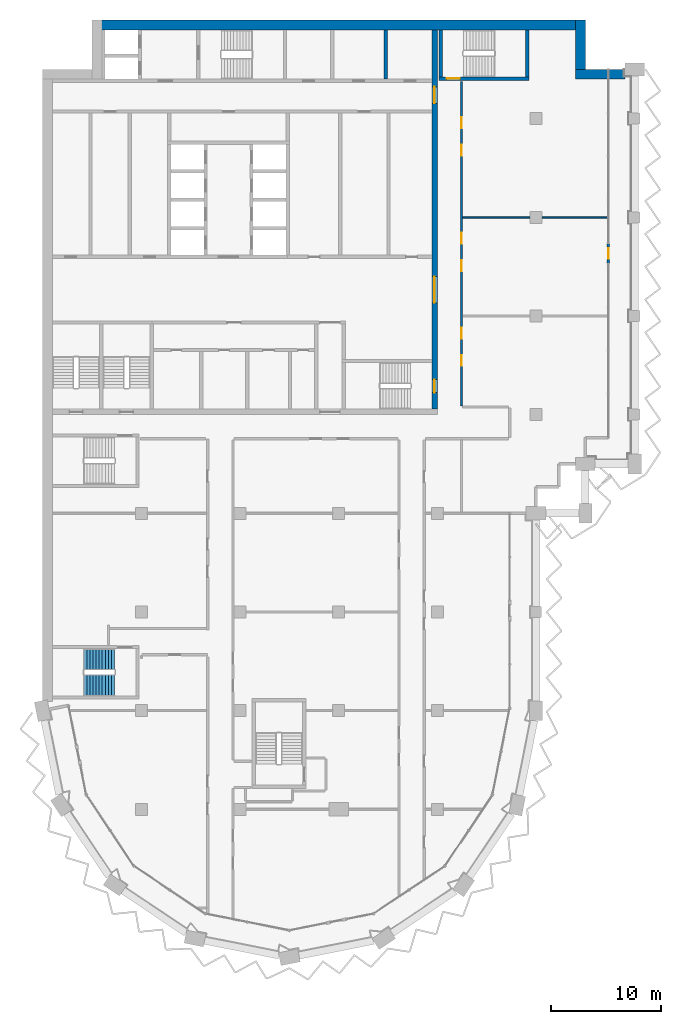
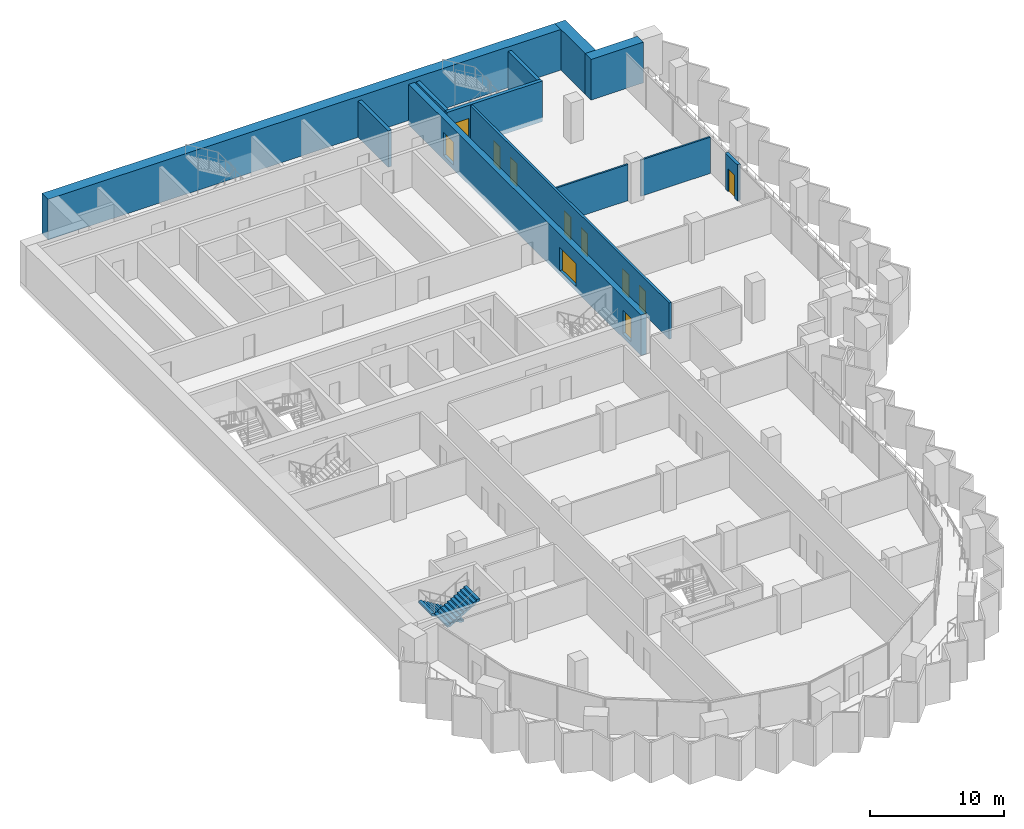
# One storey, part 11 of 17: 12 walls, 11 doors, 2 stair flights, 11 openings, 1 element without a shape of its own.
"""IFC4 building model written with IfcOpenShell, lengths in metres."""

from ifc_helpers import new_model, si_unit, direction, frame, frame_2d, origin, place, context, subcontext, project, spatial, polyline, rectangle, outline, extrude, material, layer, layer_set, type_object, element, fill, aggregate, save


model = new_model("IFC4")

# Units and contexts
model_context = context("Model", 3, precision=1e-05, world=origin(), true_north=direction((0.0, 1.0)))
body_context = subcontext(model_context, "Body", "Model", "MODEL_VIEW")
ifc_project = project(units=[si_unit("LENGTHUNIT", "METRE"), si_unit("AREAUNIT", "SQUARE_METRE"), si_unit("VOLUMEUNIT", "CUBIC_METRE"), si_unit("PLANEANGLEUNIT", "RADIAN"), si_unit("MASSUNIT", "GRAM", prefix="KILO")], contexts=[model_context])

# Site, building, storey
site_placement = place(None, origin())
site = spatial("IfcSite", under=ifc_project, at=site_placement, CompositionType="ELEMENT")
building_placement = place(site_placement, origin())
building = spatial("IfcBuilding", under=site, at=building_placement, Name="Hunhe Ridgeline Campus", CompositionType="ELEMENT")
storey_placement = place(building_placement, frame((0.0, 0.0, 190.199951171875)))
storey = spatial("IfcBuildingStorey", under=building, at=storey_placement, Name="L48", CompositionType="ELEMENT", Elevation=190.199951171875)

# Wall
ifc_material_1 = material(Name="Masonry concrete blockwork", Category="masonry")
ifc_layer_1 = layer(ifc_material_1, 0.300048828125)
ifc_layer_set_1 = layer_set([ifc_layer_1], Name="Core room partition 300 concrete block")
wall_type_1 = type_object("IfcWallType", Name="Core room partition 300 concrete block", PredefinedType="PARTITIONING", material=ifc_layer_set_1)
wall_1_placement = place(storey_placement, frame((31.300048828125, 93.60009765625, 0.0), z_axis=(0.0, 0.0, 1.0), x_axis=(0.0, 1.0, 0.0)))
element("IfcWall", 1, at=wall_1_placement, inside=storey, type_object=wall_type_1, Name="L48 core partition 51", PredefinedType="PARTITIONING", context=body_context, shape_type="SweptSolid", body=[
    extrude(rectangle(XDim=4.5, YDim=0.300048828125, at=frame_2d((2.25, 0.0))), origin(), (0.0, 0.0, 1.0), 3.300048828125),
])

# Wall, openings, doors
ifc_material_2 = material(Name="Concrete C60", Category="concrete")
ifc_layer_2 = layer(ifc_material_2, 0.5)
ifc_layer_set_2 = layer_set([ifc_layer_2], Name="Core wall 500 reinforced concrete C60")
wall_type_2 = type_object("IfcWallType", Name="Core wall 500 reinforced concrete C60", PredefinedType="SOLIDWALL", material=ifc_layer_set_2)
wall_2_placement = place(storey_placement, frame((35.75, 63.5, -0.39990234375), z_axis=(0.0, 0.0, 1.0), x_axis=(0.0, 1.0, 0.0)))
wall_2 = element("IfcWall", 2, at=wall_2_placement, inside=storey, type_object=wall_type_2, Name="L48 core wall 53", PredefinedType="SOLIDWALL", context=body_context, shape_type="SweptSolid", body=[
    extrude(rectangle(XDim=34.60009765625, YDim=0.5, at=frame_2d((17.300048828125, 0.0))), origin(), (0.0, 0.0, 1.0), 3.699951171875),
])
opening_1_placement = place(wall_2_placement, frame((9.699951171875, 0.0, 0.39990234375)))
opening_1 = element("IfcOpeningElement", 3, at=opening_1_placement, cuts=wall_2, Name="Opening CD4", PredefinedType="OPENING", context=body_context, shape_type="SweptSolid", body=[
    extrude(rectangle(XDim=2.39990234375, YDim=2.10009765625, at=frame_2d((1.199951171875, 1.050048828125))), frame((0.0, 0.25, 0.0), z_axis=(0.0, -1.0, 0.0), x_axis=(1.0, 0.0, 0.0)), (0.0, 0.0, 1.0), 0.5),
])
opening_2_placement = place(wall_2_placement, frame((27.89990234375, 0.0, 0.39990234375)))
opening_2 = element("IfcOpeningElement", 4, at=opening_2_placement, cuts=wall_2, Name="Opening CD5", PredefinedType="OPENING", context=body_context, shape_type="SweptSolid", body=[
    extrude(rectangle(XDim=1.5, YDim=2.10009765625, at=frame_2d((0.75, 1.050048828125))), frame((0.0, 0.25, 0.0), z_axis=(0.0, -1.0, 0.0), x_axis=(1.0, 0.0, 0.0)), (0.0, 0.0, 1.0), 0.5),
])
opening_3_placement = place(wall_2_placement, frame((1.5, 0.0, 0.39990234375)))
opening_3 = element("IfcOpeningElement", 5, at=opening_3_placement, cuts=wall_2, Name="Opening CD15", PredefinedType="OPENING", context=body_context, shape_type="SweptSolid", body=[
    extrude(rectangle(XDim=1.199951171875, YDim=2.10009765625, at=frame_2d((0.60009765625, 1.050048828125))), frame((0.0, 0.25, 0.0), z_axis=(0.0, -1.0, 0.0), x_axis=(1.0, 0.0, 0.0)), (0.0, 0.0, 1.0), 0.5),
])
ifc_material_3 = material(Name="Anodised aluminium and glass", Category="aluminium")
door_type_1 = type_object("IfcDoorType", Name="Glazed double door 2400x2100", OperationType="DOUBLE_DOOR_SINGLE_SWING", PredefinedType="DOOR", material=ifc_material_3)
door_1_placement = place(opening_1_placement, frame((2.39990234375, 0.0, 0.0), z_axis=(0.0, 0.0, 1.0), x_axis=(-1.0, 0.0, 0.0)))
door_1 = element("IfcDoor", 6, at=door_1_placement, inside=storey, type_object=door_type_1, Name="L48 door HALL-FLOOR", OperationType="DOUBLE_DOOR_SINGLE_SWING", OverallHeight=2.10009765625, OverallWidth=2.39990234375, PredefinedType="DOOR", context=body_context, shape_type="SweptSolid", body=[
    extrude(rectangle(XDim=2.39990234375, YDim=2.10009765625, at=frame_2d((1.199951171875, 1.050048828125))), frame((0.0, 0.02490234375, 0.0), z_axis=(0.0, -1.0, 0.0), x_axis=(1.0, 0.0, 0.0)), (0.0, 0.0, 1.0), 0.050048828125),
])
fill(opening_1, door_1)
ifc_material_4 = material(Name="Hollow metal fire door leaf")
door_type_2 = type_object("IfcDoorType", Name="Stair door 1200x2100 FD60", OperationType="SINGLE_SWING_LEFT", PredefinedType="DOOR", material=ifc_material_4)
door_2_placement = place(opening_3_placement, frame((1.199951171875, 0.0, 0.0), z_axis=(0.0, 0.0, 1.0), x_axis=(-1.0, 0.0, 0.0)))
door_2 = element("IfcDoor", 7, at=door_2_placement, inside=storey, type_object=door_type_2, Name="L48 door S2-FLOOR", OperationType="SINGLE_SWING_LEFT", OverallHeight=2.10009765625, OverallWidth=1.199951171875, PredefinedType="DOOR", context=body_context, shape_type="SweptSolid", body=[
    extrude(rectangle(XDim=1.199951171875, YDim=2.10009765625, at=frame_2d((0.60009765625, 1.050048828125))), frame((0.0, 0.02490234375, 0.0), z_axis=(0.0, -1.0, 0.0), x_axis=(1.0, 0.0, 0.0)), (0.0, 0.0, 1.0), 0.050048828125),
])
fill(opening_3, door_2)
ifc_material_5 = material(Name="Solid core timber door leaf", Category="wood")
door_type_3 = type_object("IfcDoorType", Name="Timber door 1500x2100", OperationType="SINGLE_SWING_LEFT", PredefinedType="DOOR", material=ifc_material_5)
door_3_placement = place(opening_2_placement, frame((1.5, 0.0, 0.0), z_axis=(0.0, 0.0, 1.0), x_axis=(-1.0, 0.0, 0.0)))
door_3 = element("IfcDoor", 8, at=door_3_placement, inside=storey, type_object=door_type_3, Name="L48 door C1-FLOOR", OperationType="SINGLE_SWING_LEFT", OverallHeight=2.10009765625, OverallWidth=1.5, PredefinedType="DOOR", context=body_context, shape_type="SweptSolid", body=[
    extrude(rectangle(XDim=1.5, YDim=2.10009765625, at=frame_2d((0.75, 1.050048828125))), frame((0.0, 0.02490234375, 0.0), z_axis=(0.0, -1.0, 0.0), x_axis=(1.0, 0.0, 0.0)), (0.0, 0.0, 1.0), 0.050048828125),
])
fill(opening_2, door_3)

ifc_material_6 = material(Name="Gypsum board partition")
ifc_layer_3 = layer(ifc_material_6, 0.199951171875)
ifc_layer_set_3 = layer_set([ifc_layer_3], Name="Corridor partition 200 gypsum board on steel studs")
wall_type_3 = type_object("IfcWallType", Name="Corridor partition 200 gypsum board on steel studs", PredefinedType="PARTITIONING", material=ifc_layer_set_3)
wall_3_placement = place(storey_placement, frame((38.199951171875, 93.39599609375, 0.0), z_axis=(0.0, 0.0, 1.0), x_axis=(0.0, -1.0, 0.0)))
wall_3 = element("IfcWall", 9, at=wall_3_placement, inside=storey, type_object=wall_type_3, Name="F-L48-wall-047", PredefinedType="PARTITIONING", context=body_context, shape_type="SweptSolid", body=[
    extrude(rectangle(XDim=29.595947265625, YDim=0.199951171875, at=frame_2d((14.7978515625, 0.0))), origin(), (0.0, 0.0, 1.0), 3.300048828125),
])
opening_4_placement = place(wall_3_placement, frame((24.95751953125, 0.0, 0.0)))
opening_4 = element("IfcOpeningElement", 10, at=opening_4_placement, cuts=wall_3, Name="Opening RD1-022", PredefinedType="OPENING", context=body_context, shape_type="SweptSolid", body=[
    extrude(rectangle(XDim=1.0, YDim=2.10009765625, at=frame_2d((0.5, 1.050048828125))), frame((0.0, 0.10009765625, 0.0), z_axis=(0.0, -1.0, 0.0), x_axis=(1.0, 0.0, 0.0)), (0.0, 0.0, 1.0), 0.199951171875),
])
opening_5_placement = place(wall_3_placement, frame((22.45751953125, 0.0, 0.0)))
opening_5 = element("IfcOpeningElement", 11, at=opening_5_placement, cuts=wall_3, Name="Opening RD1-023", PredefinedType="OPENING", context=body_context, shape_type="SweptSolid", body=[
    extrude(rectangle(XDim=1.0, YDim=2.10009765625, at=frame_2d((0.5, 1.050048828125))), frame((0.0, 0.10009765625, 0.0), z_axis=(0.0, -1.0, 0.0), x_axis=(1.0, 0.0, 0.0)), (0.0, 0.0, 1.0), 0.199951171875),
])
opening_6_placement = place(wall_3_placement, frame((16.304443359375, 0.0, 0.0)))
opening_6 = element("IfcOpeningElement", 12, at=opening_6_placement, cuts=wall_3, Name="Opening RD1-024", PredefinedType="OPENING", context=body_context, shape_type="SweptSolid", body=[
    extrude(rectangle(XDim=1.0, YDim=2.10009765625, at=frame_2d((0.5, 1.050048828125))), frame((0.0, 0.10009765625, 0.0), z_axis=(0.0, -1.0, 0.0), x_axis=(1.0, 0.0, 0.0)), (0.0, 0.0, 1.0), 0.199951171875),
])
opening_7_placement = place(wall_3_placement, frame((13.804443359375, 0.0, 0.0)))
opening_7 = element("IfcOpeningElement", 13, at=opening_7_placement, cuts=wall_3, Name="Opening RD1-025", PredefinedType="OPENING", context=body_context, shape_type="SweptSolid", body=[
    extrude(rectangle(XDim=1.0, YDim=2.10009765625, at=frame_2d((0.5, 1.050048828125))), frame((0.0, 0.10009765625, 0.0), z_axis=(0.0, -1.0, 0.0), x_axis=(1.0, 0.0, 0.0)), (0.0, 0.0, 1.0), 0.199951171875),
])
opening_8_placement = place(wall_3_placement, frame((5.770263671875, 0.0, 0.0)))
opening_8 = element("IfcOpeningElement", 14, at=opening_8_placement, cuts=wall_3, Name="Opening RD1-026", PredefinedType="OPENING", context=body_context, shape_type="SweptSolid", body=[
    extrude(rectangle(XDim=1.0, YDim=2.10009765625, at=frame_2d((0.5, 1.050048828125))), frame((0.0, 0.10009765625, 0.0), z_axis=(0.0, -1.0, 0.0), x_axis=(1.0, 0.0, 0.0)), (0.0, 0.0, 1.0), 0.199951171875),
])
opening_9_placement = place(wall_3_placement, frame((3.270263671875, 0.0, 0.0)))
opening_9 = element("IfcOpeningElement", 15, at=opening_9_placement, cuts=wall_3, Name="Opening RD1-027", PredefinedType="OPENING", context=body_context, shape_type="SweptSolid", body=[
    extrude(rectangle(XDim=1.0, YDim=2.10009765625, at=frame_2d((0.5, 1.050048828125))), frame((0.0, 0.10009765625, 0.0), z_axis=(0.0, -1.0, 0.0), x_axis=(1.0, 0.0, 0.0)), (0.0, 0.0, 1.0), 0.199951171875),
])
ifc_material_7 = material(Name="Timber door leaf", Category="wood")
door_type_4 = type_object("IfcDoorType", Name="Single fire door 1000x2100 timber FD60", OperationType="NOTDEFINED", PredefinedType="DOOR", material=ifc_material_7)
door_4_placement = place(opening_4_placement, frame((1.0, 0.0, 0.0), z_axis=(0.0, 0.0, 1.0), x_axis=(-1.0, 0.0, 0.0)))
door_4 = element("IfcDoor", 16, at=door_4_placement, inside=storey, type_object=door_type_4, Name="F-L48-door-022", OperationType="SINGLE_SWING_LEFT", OverallHeight=2.10009765625, OverallWidth=1.0, PredefinedType="DOOR", context=body_context, shape_type="SweptSolid", body=[
    extrude(rectangle(XDim=1.0, YDim=2.10009765625, at=frame_2d((0.5, 1.050048828125))), frame((0.0, 0.02490234375, 0.0), z_axis=(0.0, -1.0, 0.0), x_axis=(1.0, 0.0, 0.0)), (0.0, 0.0, 1.0), 0.050048828125),
])
fill(opening_4, door_4)
door_5_placement = place(opening_5_placement, frame((1.0, 0.0, 0.0), z_axis=(0.0, 0.0, 1.0), x_axis=(-1.0, 0.0, 0.0)))
door_5 = element("IfcDoor", 17, at=door_5_placement, inside=storey, type_object=door_type_4, Name="F-L48-door-023", OperationType="SINGLE_SWING_RIGHT", OverallHeight=2.10009765625, OverallWidth=1.0, PredefinedType="DOOR", context=body_context, shape_type="SweptSolid", body=[
    extrude(rectangle(XDim=1.0, YDim=2.10009765625, at=frame_2d((0.5, 1.050048828125))), frame((0.0, 0.02490234375, 0.0), z_axis=(0.0, -1.0, 0.0), x_axis=(1.0, 0.0, 0.0)), (0.0, 0.0, 1.0), 0.050048828125),
])
fill(opening_5, door_5)
door_6_placement = place(opening_6_placement, frame((1.0, 0.0, 0.0), z_axis=(0.0, 0.0, 1.0), x_axis=(-1.0, 0.0, 0.0)))
door_6 = element("IfcDoor", 18, at=door_6_placement, inside=storey, type_object=door_type_4, Name="F-L48-door-024", OperationType="SINGLE_SWING_RIGHT", OverallHeight=2.10009765625, OverallWidth=1.0, PredefinedType="DOOR", context=body_context, shape_type="SweptSolid", body=[
    extrude(rectangle(XDim=1.0, YDim=2.10009765625, at=frame_2d((0.5, 1.050048828125))), frame((0.0, 0.02490234375, 0.0), z_axis=(0.0, -1.0, 0.0), x_axis=(1.0, 0.0, 0.0)), (0.0, 0.0, 1.0), 0.050048828125),
])
fill(opening_6, door_6)
door_7_placement = place(opening_7_placement, frame((1.0, 0.0, 0.0), z_axis=(0.0, 0.0, 1.0), x_axis=(-1.0, 0.0, 0.0)))
door_7 = element("IfcDoor", 19, at=door_7_placement, inside=storey, type_object=door_type_4, Name="F-L48-door-025", OperationType="SINGLE_SWING_RIGHT", OverallHeight=2.10009765625, OverallWidth=1.0, PredefinedType="DOOR", context=body_context, shape_type="SweptSolid", body=[
    extrude(rectangle(XDim=1.0, YDim=2.10009765625, at=frame_2d((0.5, 1.050048828125))), frame((0.0, 0.02490234375, 0.0), z_axis=(0.0, -1.0, 0.0), x_axis=(1.0, 0.0, 0.0)), (0.0, 0.0, 1.0), 0.050048828125),
])
fill(opening_7, door_7)
door_8_placement = place(opening_8_placement, frame((1.0, 0.0, 0.0), z_axis=(0.0, 0.0, 1.0), x_axis=(-1.0, 0.0, 0.0)))
door_8 = element("IfcDoor", 20, at=door_8_placement, inside=storey, type_object=door_type_4, Name="F-L48-door-026", OperationType="SINGLE_SWING_RIGHT", OverallHeight=2.10009765625, OverallWidth=1.0, PredefinedType="DOOR", context=body_context, shape_type="SweptSolid", body=[
    extrude(rectangle(XDim=1.0, YDim=2.10009765625, at=frame_2d((0.5, 1.050048828125))), frame((0.0, 0.02490234375, 0.0), z_axis=(0.0, -1.0, 0.0), x_axis=(1.0, 0.0, 0.0)), (0.0, 0.0, 1.0), 0.050048828125),
])
fill(opening_8, door_8)
door_9_placement = place(opening_9_placement, frame((1.0, 0.0, 0.0), z_axis=(0.0, 0.0, 1.0), x_axis=(-1.0, 0.0, 0.0)))
door_9 = element("IfcDoor", 21, at=door_9_placement, inside=storey, type_object=door_type_4, Name="F-L48-door-027", OperationType="SINGLE_SWING_RIGHT", OverallHeight=2.10009765625, OverallWidth=1.0, PredefinedType="DOOR", context=body_context, shape_type="SweptSolid", body=[
    extrude(rectangle(XDim=1.0, YDim=2.10009765625, at=frame_2d((0.5, 1.050048828125))), frame((0.0, 0.02490234375, 0.0), z_axis=(0.0, -1.0, 0.0), x_axis=(1.0, 0.0, 0.0)), (0.0, 0.0, 1.0), 0.050048828125),
])
fill(opening_9, door_9)

# Wall, opening, door
ifc_material_8 = material(Name="Concrete C30", Category="concrete")
ifc_layer_4 = layer(ifc_material_8, 0.25)
ifc_layer_set_4 = layer_set([ifc_layer_4], Name="Loggia door pier wall 250 Concrete C30")
wall_type_4 = type_object("IfcWallType", Name="Loggia door pier wall 250 Concrete C30", PredefinedType="SOLIDWALL", material=ifc_layer_set_4)
wall_4_placement = place(storey_placement, frame((51.59912109375, 76.800537109375, 0.0), z_axis=(0.0, 0.0, 1.0), x_axis=(0.0, 1.0, 0.0)))
wall_4 = element("IfcWall", 22, at=wall_4_placement, inside=storey, type_object=wall_type_4, Name="Loggia door pier 4", PredefinedType="SOLIDWALL", context=body_context, shape_type="SweptSolid", body=[
    extrude(rectangle(XDim=1.800048828125, YDim=0.25, at=frame_2d((0.89990234375, 0.0))), origin(), (0.0, 0.0, 1.0), 3.300048828125),
])
opening_10_placement = place(wall_4_placement, frame((0.39990234375, 0.0, 0.0)))
opening_10 = element("IfcOpeningElement", 23, at=opening_10_placement, cuts=wall_4, Name="Opening BD406", PredefinedType="OPENING", context=body_context, shape_type="SweptSolid", body=[
    extrude(rectangle(XDim=1.0, YDim=2.10009765625, at=frame_2d((0.5, 1.050048828125))), frame((0.0, 0.125, 0.0), z_axis=(0.0, -1.0, 0.0), x_axis=(1.0, 0.0, 0.0)), (0.0, 0.0, 1.0), 0.25),
])
ifc_material_9 = material(Name="Aluminium 6063", Category="aluminium")
door_type_5 = type_object("IfcDoorType", Name="Loggia glazed door 1000x2100", OperationType="NOTDEFINED", PredefinedType="DOOR", material=ifc_material_9)
door_10_placement = place(opening_10_placement, frame((1.0, 0.0, 0.0), z_axis=(0.0, 0.0, 1.0), x_axis=(-1.0, 0.0, 0.0)))
door_10 = element("IfcDoor", 24, at=door_10_placement, inside=storey, type_object=door_type_5, Name="Loggia door BD406", OperationType="SINGLE_SWING_LEFT", OverallHeight=2.10009765625, OverallWidth=1.0, PredefinedType="DOOR", context=body_context, shape_type="SweptSolid", body=[
    extrude(rectangle(XDim=1.0, YDim=2.10009765625, at=frame_2d((0.5, 1.050048828125))), frame((0.0, 0.02490234375, 0.0), z_axis=(0.0, -1.0, 0.0), x_axis=(1.0, 0.0, 0.0)), (0.0, 0.0, 1.0), 0.050048828125),
])
fill(opening_10, door_10)

# Walls
ifc_layer_5 = layer(ifc_material_6, 0.14990234375)
ifc_layer_set_5 = layer_set([ifc_layer_5], Name="Room partition 150 gypsum board on steel studs")
wall_type_5 = type_object("IfcWallType", Name="Room partition 150 gypsum board on steel studs", PredefinedType="PARTITIONING", material=ifc_layer_set_5)
wall_5_placement = place(storey_placement, frame((38.300048828125, 81.0, 0.0), z_axis=(0.0, 0.0, 1.0), x_axis=(1.0, 0.0, 0.0)))
element("IfcWall", 25, at=wall_5_placement, inside=storey, type_object=wall_type_5, Name="F-L48-wall-033", PredefinedType="PARTITIONING", context=body_context, shape_type="SweptSolid", body=[
    extrude(rectangle(XDim=6.14990234375, YDim=0.14990234375, at=frame_2d((3.074951171875, 0.0))), origin(), (0.0, 0.0, 1.0), 3.300048828125),
])
wall_6_placement = place(storey_placement, frame((45.550048828125, 81.0, 0.0), z_axis=(0.0, 0.0, 1.0), x_axis=(1.0, 0.0, 0.0)))
element("IfcWall", 26, at=wall_6_placement, inside=storey, type_object=wall_type_5, Name="F-L48-wall-034", PredefinedType="PARTITIONING", context=body_context, shape_type="SweptSolid", body=[
    extrude(rectangle(XDim=5.994873046875, YDim=0.14990234375, at=frame_2d((2.99755859375, 0.0))), origin(), (0.0, 0.0, 1.0), 3.300048828125),
])
ifc_layer_6 = layer(ifc_material_2, 0.89990234375)
ifc_layer_set_6 = layer_set([ifc_layer_6], Name="Spine wall 900 Concrete C60")
wall_type_6 = type_object("IfcWallType", Name="Spine wall 900 Concrete C60", PredefinedType="SHEAR", material=ifc_layer_set_6)
wall_7_placement = place(storey_placement, frame((53.10009765625, 94.050048828125, 0.0), z_axis=(0.0, 0.0, 1.0), x_axis=(-1.0, 0.0, 0.0)))
element("IfcWall", 27, at=wall_7_placement, inside=storey, type_object=wall_type_6, Name="Spine wall SW3-2 L48", PredefinedType="SHEAR", context=body_context, shape_type="SweptSolid", body=[
    extrude(rectangle(XDim=4.5, YDim=0.89990234375, at=frame_2d((2.25, 0.0))), origin(), (0.0, 0.0, 1.0), 3.699951171875),
])
wall_8_placement = place(storey_placement, frame((49.050048828125, 93.60009765625, 0.0), z_axis=(0.0, 0.0, 1.0), x_axis=(0.0, 1.0, 0.0)))
element("IfcWall", 28, at=wall_8_placement, inside=storey, type_object=wall_type_6, Name="Spine wall SW3-3 L48", PredefinedType="SHEAR", context=body_context, shape_type="SweptSolid", body=[
    extrude(rectangle(XDim=5.39990234375, YDim=0.89990234375, at=frame_2d((2.699951171875, 0.0))), origin(), (0.0, 0.0, 1.0), 3.699951171875),
])
wall_9_placement = place(storey_placement, frame((49.5, 98.550048828125, 0.0), z_axis=(0.0, 0.0, 1.0), x_axis=(-1.0, 0.0, 0.0)))
element("IfcWall", 29, at=wall_9_placement, inside=storey, type_object=wall_type_6, Name="Spine wall SW3-4 L48", PredefinedType="SHEAR", context=body_context, shape_type="SweptSolid", body=[
    extrude(rectangle(XDim=45.0, YDim=0.89990234375, at=frame_2d((22.5, 0.0))), origin(), (0.0, 0.0, 1.0), 3.699951171875),
])

# Wall, opening, door
ifc_layer_7 = layer(ifc_material_2, 0.300048828125)
ifc_layer_set_7 = layer_set([ifc_layer_7], Name="Stair wall 300 reinforced concrete C60")
wall_type_7 = type_object("IfcWallType", Name="Stair wall 300 reinforced concrete C60", PredefinedType="SOLIDWALL", material=ifc_layer_set_7)
wall_10_placement = place(storey_placement, frame((36.14990234375, 93.64990234375, -0.39990234375), z_axis=(0.0, 0.0, 1.0), x_axis=(1.0, 0.0, 0.0)))
wall_10 = element("IfcWall", 30, at=wall_10_placement, inside=storey, type_object=wall_type_7, Name="L48 core wall 23", PredefinedType="SOLIDWALL", context=body_context, shape_type="SweptSolid", body=[
    extrude(rectangle(XDim=8.2001953125, YDim=0.300048828125, at=frame_2d((4.10009765625, 0.0))), origin(), (0.0, 0.0, 1.0), 3.699951171875),
])
opening_11_placement = place(wall_10_placement, frame((0.699951171875, 0.0, 0.39990234375)))
opening_11 = element("IfcOpeningElement", 31, at=opening_11_placement, cuts=wall_10, Name="Opening CD17", PredefinedType="OPENING", context=body_context, shape_type="SweptSolid", body=[
    extrude(rectangle(XDim=1.199951171875, YDim=2.10009765625, at=frame_2d((0.60009765625, 1.050048828125))), frame((0.0, 0.14990234375, 0.0), z_axis=(0.0, -1.0, 0.0), x_axis=(1.0, 0.0, 0.0)), (0.0, 0.0, 1.0), 0.300048828125),
])
door_11_placement = place(opening_11_placement, frame((1.199951171875, 0.0, 0.0), z_axis=(0.0, 0.0, 1.0), x_axis=(-1.0, 0.0, 0.0)))
door_11 = element("IfcDoor", 32, at=door_11_placement, inside=storey, type_object=door_type_2, Name="L48 door E1", OperationType="SINGLE_SWING_LEFT", OverallHeight=2.10009765625, OverallWidth=1.199951171875, PredefinedType="DOOR", context=body_context, shape_type="SweptSolid", body=[
    extrude(rectangle(XDim=1.199951171875, YDim=2.10009765625, at=frame_2d((0.60009765625, 1.050048828125))), frame((0.0, 0.02490234375, 0.0), z_axis=(0.0, -1.0, 0.0), x_axis=(1.0, 0.0, 0.0)), (0.0, 0.0, 1.0), 0.050048828125),
])
fill(opening_11, door_11)

# Walls
for number, where, z_axis, x_axis, name in (
    (33, (36.300048828125, 93.800048828125, -0.39990234375), (0.0, 0.0, 1.0), (0.0, 1.0, 0.0), "L48 core wall 54"),
    (34, (44.199951171875, 93.800048828125, -0.39990234375), (0.0, 0.0, 1.0), (0.0, 1.0, 0.0), "L48 core wall 55"),
):
    element("IfcWall", number, at=place(storey_placement, frame(where, z_axis=z_axis, x_axis=x_axis)), inside=storey, type_object=wall_type_7, Name=name, PredefinedType="SOLIDWALL", context=body_context, shape_type="SweptSolid", body=[
        extrude(rectangle(XDim=4.300048828125, YDim=0.300048828125, at=frame_2d((2.14990234375, 0.0))), origin(), (0.0, 0.0, 1.0), 3.699951171875),
    ])

# Stair, stair flights
ifc_material_10 = material(Name="Concrete C40", Category="concrete")
stair_type = type_object("IfcStairType", Name="Reinforced concrete dog-leg stair 1950 Concrete C40", PredefinedType="HALF_TURN_STAIR", material=ifc_material_10)
stair_placement = place(storey_placement, origin())
stair = element("IfcStair", 35, at=stair_placement, inside=storey, type_object=stair_type, Name="L48 W1", PredefinedType="HALF_TURN_STAIR")
stair_flight_type = type_object("IfcStairFlightType", Name="Reinforced concrete stair flight 1950 Concrete C40", PredefinedType="STRAIGHT", material=ifc_material_10)
stair_flight_1_placement = place(storey_placement, frame((6.550048828125, 40.675048828125, 0.0), z_axis=(0.0, 0.0, 1.0), x_axis=(-1.0, 0.0, 0.0)))
stair_flight_1 = element("IfcStairFlight", 36, at=stair_flight_1_placement, type_object=stair_flight_type, Name="ST11 flight 1", NumberOfRisers=11, NumberOfTreads=10, PredefinedType="STRAIGHT", RiserHeight=0.168181818, TreadLength=0.28, context=body_context, shape_type="SweptSolid", body=[
    extrude(outline(polyline([(0.0, 0.0), (0.0, 0.168212890625), (0.280029296875, 0.168212890625), (0.280029296875, 0.33642578125), (0.56005859375, 0.33642578125), (0.56005859375, 0.504638671875), (0.840087890625, 0.504638671875), (0.840087890625, 0.672607421875), (1.1201171875, 0.672607421875), (1.1201171875, 0.8408203125), (1.39990234375, 0.8408203125), (1.39990234375, 1.009033203125), (1.679931640625, 1.009033203125), (1.679931640625, 1.17724609375), (1.9599609375, 1.17724609375), (1.9599609375, 1.345458984375), (2.239990234375, 1.345458984375), (2.239990234375, 1.513671875), (2.52001953125, 1.513671875), (2.52001953125, 1.681884765625), (2.800048828125, 1.681884765625), (2.800048828125, 1.85009765625), (2.800048828125, 1.5068359375), (0.291015625, 0.0), (0.0, 0.0)])), frame((0.0, 0.97509765625, 0.0), z_axis=(0.0, -1.0, 0.0), x_axis=(1.0, 0.0, 0.0)), (0.0, 0.0, 1.0), 1.949951171875),
    extrude(outline(polyline([(0.030029296875, 0.030029296875), (0.030029296875, 0.13818359375), (0.31005859375, 0.13818359375), (0.31005859375, 0.306396484375), (0.590087890625, 0.306396484375), (0.590087890625, 0.474609375), (0.8701171875, 0.474609375), (0.8701171875, 0.642578125), (1.14990234375, 0.642578125), (1.14990234375, 0.810791015625), (1.429931640625, 0.810791015625), (1.429931640625, 0.97900390625), (1.7099609375, 0.97900390625), (1.7099609375, 1.147216796875), (1.989990234375, 1.147216796875), (1.989990234375, 1.3154296875), (2.27001953125, 1.3154296875), (2.27001953125, 1.483642578125), (2.550048828125, 1.483642578125), (2.550048828125, 1.65185546875), (2.77001953125, 1.65185546875), (2.77001953125, 1.52392578125), (0.28271484375, 0.030029296875), (0.030029296875, 0.030029296875)])), frame((0.0, -0.070068359375, 0.0), z_axis=(0.0, -1.0, 0.0), x_axis=(1.0, 0.0, 0.0)), (0.0, 0.0, 1.0), 0.019775390625),
    extrude(outline(polyline([(0.030029296875, 0.030029296875), (0.030029296875, 0.13818359375), (0.31005859375, 0.13818359375), (0.31005859375, 0.306396484375), (0.590087890625, 0.306396484375), (0.590087890625, 0.474609375), (0.8701171875, 0.474609375), (0.8701171875, 0.642578125), (1.14990234375, 0.642578125), (1.14990234375, 0.810791015625), (1.429931640625, 0.810791015625), (1.429931640625, 0.97900390625), (1.7099609375, 0.97900390625), (1.7099609375, 1.147216796875), (1.989990234375, 1.147216796875), (1.989990234375, 1.3154296875), (2.27001953125, 1.3154296875), (2.27001953125, 1.483642578125), (2.550048828125, 1.483642578125), (2.550048828125, 1.65185546875), (2.77001953125, 1.65185546875), (2.77001953125, 1.52392578125), (0.28271484375, 0.030029296875), (0.030029296875, 0.030029296875)])), frame((0.0, 0.010009765625, 0.0), z_axis=(0.0, -1.0, 0.0), x_axis=(1.0, 0.0, 0.0)), (0.0, 0.0, 1.0), 0.019775390625),
    extrude(outline(polyline([(0.030029296875, 0.030029296875), (0.030029296875, 0.13818359375), (0.31005859375, 0.13818359375), (0.31005859375, 0.306396484375), (0.590087890625, 0.306396484375), (0.590087890625, 0.474609375), (0.8701171875, 0.474609375), (0.8701171875, 0.642578125), (1.14990234375, 0.642578125), (1.14990234375, 0.810791015625), (1.429931640625, 0.810791015625), (1.429931640625, 0.97900390625), (1.7099609375, 0.97900390625), (1.7099609375, 1.147216796875), (1.989990234375, 1.147216796875), (1.989990234375, 1.3154296875), (2.27001953125, 1.3154296875), (2.27001953125, 1.483642578125), (2.550048828125, 1.483642578125), (2.550048828125, 1.65185546875), (2.77001953125, 1.65185546875), (2.77001953125, 1.52392578125), (0.28271484375, 0.030029296875), (0.030029296875, 0.030029296875)])), frame((0.0, 0.090087890625, 0.0), z_axis=(0.0, -1.0, 0.0), x_axis=(1.0, 0.0, 0.0)), (0.0, 0.0, 1.0), 0.019775390625),
])
stair_flight_2_placement = place(storey_placement, frame((3.75, 38.324951171875, 1.85009765625), z_axis=(0.0, 0.0, 1.0), x_axis=(1.0, 0.0, 0.0)))
stair_flight_2 = element("IfcStairFlight", 37, at=stair_flight_2_placement, type_object=stair_flight_type, Name="ST11 flight 2", NumberOfRisers=11, NumberOfTreads=10, PredefinedType="STRAIGHT", RiserHeight=0.168181818, TreadLength=0.28, context=body_context, shape_type="SweptSolid", body=[
    extrude(outline(polyline([(0.0, 0.0), (0.0, 0.168212890625), (0.280029296875, 0.168212890625), (0.280029296875, 0.33642578125), (0.56005859375, 0.33642578125), (0.56005859375, 0.504638671875), (0.840087890625, 0.504638671875), (0.840087890625, 0.672607421875), (1.1201171875, 0.672607421875), (1.1201171875, 0.8408203125), (1.39990234375, 0.8408203125), (1.39990234375, 1.009033203125), (1.679931640625, 1.009033203125), (1.679931640625, 1.17724609375), (1.9599609375, 1.17724609375), (1.9599609375, 1.345458984375), (2.239990234375, 1.345458984375), (2.239990234375, 1.513671875), (2.52001953125, 1.513671875), (2.52001953125, 1.681884765625), (2.800048828125, 1.681884765625), (2.800048828125, 1.85009765625), (2.800048828125, 1.5068359375), (0.291015625, 0.0), (0.0, 0.0)])), frame((0.0, 0.97509765625, 0.0), z_axis=(0.0, -1.0, 0.0), x_axis=(1.0, 0.0, 0.0)), (0.0, 0.0, 1.0), 1.949951171875),
    extrude(outline(polyline([(0.030029296875, 0.030029296875), (0.030029296875, 0.13818359375), (0.31005859375, 0.13818359375), (0.31005859375, 0.306396484375), (0.590087890625, 0.306396484375), (0.590087890625, 0.474609375), (0.8701171875, 0.474609375), (0.8701171875, 0.642578125), (1.14990234375, 0.642578125), (1.14990234375, 0.810791015625), (1.429931640625, 0.810791015625), (1.429931640625, 0.97900390625), (1.7099609375, 0.97900390625), (1.7099609375, 1.147216796875), (1.989990234375, 1.147216796875), (1.989990234375, 1.3154296875), (2.27001953125, 1.3154296875), (2.27001953125, 1.483642578125), (2.550048828125, 1.483642578125), (2.550048828125, 1.65185546875), (2.77001953125, 1.65185546875), (2.77001953125, 1.52392578125), (0.28271484375, 0.030029296875), (0.030029296875, 0.030029296875)])), frame((0.0, -0.070068359375, 0.0), z_axis=(0.0, -1.0, 0.0), x_axis=(1.0, 0.0, 0.0)), (0.0, 0.0, 1.0), 0.019775390625),
    extrude(outline(polyline([(0.030029296875, 0.030029296875), (0.030029296875, 0.13818359375), (0.31005859375, 0.13818359375), (0.31005859375, 0.306396484375), (0.590087890625, 0.306396484375), (0.590087890625, 0.474609375), (0.8701171875, 0.474609375), (0.8701171875, 0.642578125), (1.14990234375, 0.642578125), (1.14990234375, 0.810791015625), (1.429931640625, 0.810791015625), (1.429931640625, 0.97900390625), (1.7099609375, 0.97900390625), (1.7099609375, 1.147216796875), (1.989990234375, 1.147216796875), (1.989990234375, 1.3154296875), (2.27001953125, 1.3154296875), (2.27001953125, 1.483642578125), (2.550048828125, 1.483642578125), (2.550048828125, 1.65185546875), (2.77001953125, 1.65185546875), (2.77001953125, 1.52392578125), (0.28271484375, 0.030029296875), (0.030029296875, 0.030029296875)])), frame((0.0, 0.010009765625, 0.0), z_axis=(0.0, -1.0, 0.0), x_axis=(1.0, 0.0, 0.0)), (0.0, 0.0, 1.0), 0.019775390625),
    extrude(outline(polyline([(0.030029296875, 0.030029296875), (0.030029296875, 0.13818359375), (0.31005859375, 0.13818359375), (0.31005859375, 0.306396484375), (0.590087890625, 0.306396484375), (0.590087890625, 0.474609375), (0.8701171875, 0.474609375), (0.8701171875, 0.642578125), (1.14990234375, 0.642578125), (1.14990234375, 0.810791015625), (1.429931640625, 0.810791015625), (1.429931640625, 0.97900390625), (1.7099609375, 0.97900390625), (1.7099609375, 1.147216796875), (1.989990234375, 1.147216796875), (1.989990234375, 1.3154296875), (2.27001953125, 1.3154296875), (2.27001953125, 1.483642578125), (2.550048828125, 1.483642578125), (2.550048828125, 1.65185546875), (2.77001953125, 1.65185546875), (2.77001953125, 1.52392578125), (0.28271484375, 0.030029296875), (0.030029296875, 0.030029296875)])), frame((0.0, 0.090087890625, 0.0), z_axis=(0.0, -1.0, 0.0), x_axis=(1.0, 0.0, 0.0)), (0.0, 0.0, 1.0), 0.019775390625),
])
aggregate(stair, [stair_flight_1, stair_flight_2])

save(model, "model.ifc")
